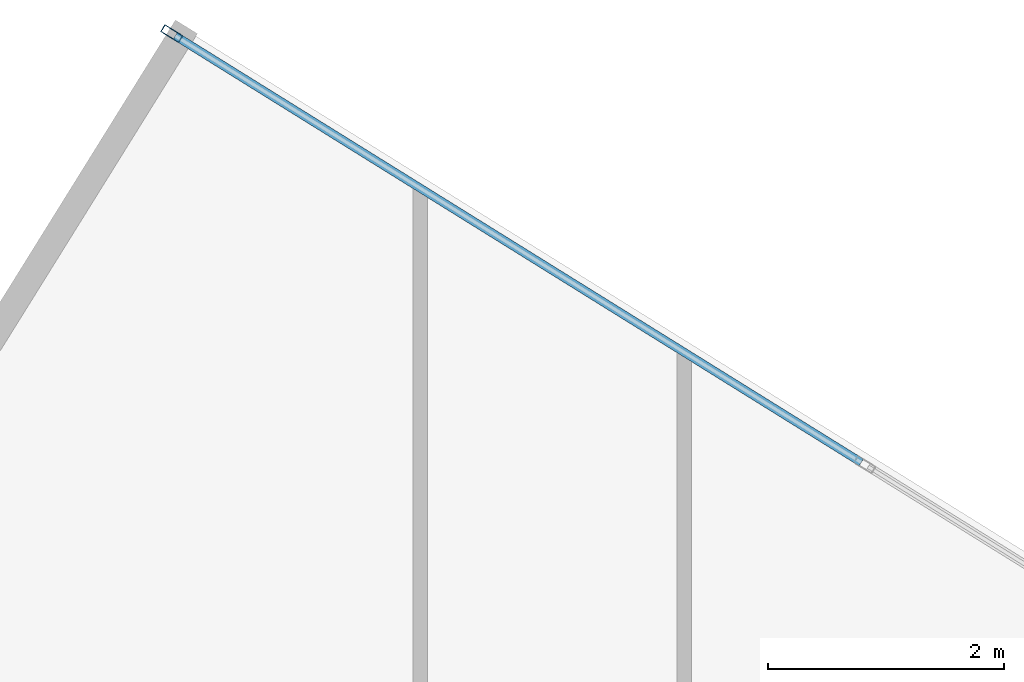
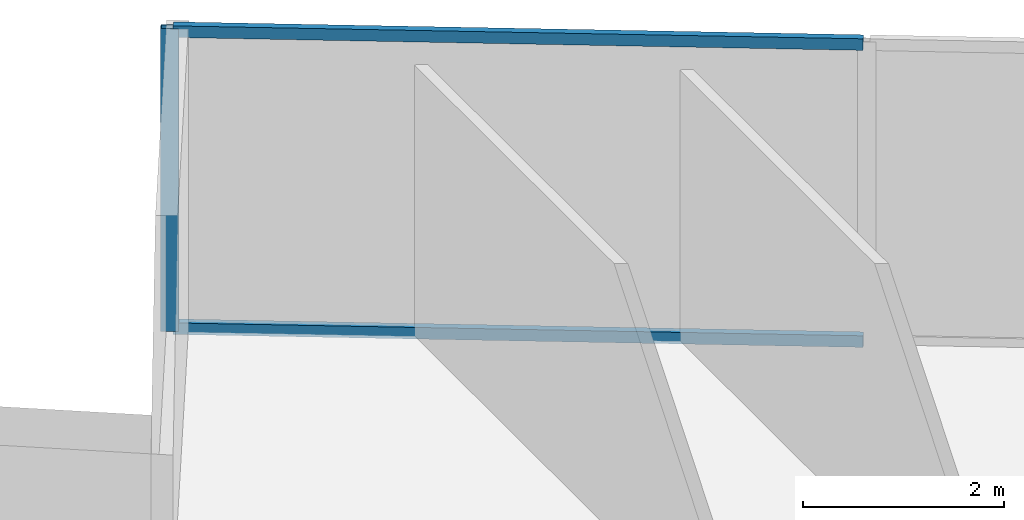
# One storey, part 16 of 25: 3 members, 1 element without a shape of its own.
"""IFC4 building model written with IfcOpenShell, lengths in metres."""

from ifc_helpers import new_model, si_unit, direction, frame, origin, origin_2d, place, context, subcontext, project, spatial, hollow_rectangle, extrude, source, transform, mapped, material, material_profile, profile_set, type_object, type_shapes, element, aggregate, save


model = new_model("IFC4")

# Units and contexts
model_context = context("Model", 3, precision=1e-05, world=origin(), true_north=direction((0.0, 1.0)))
body_context = subcontext(model_context, "Body", "Model", "MODEL_VIEW")
ifc_project = project(units=[si_unit("LENGTHUNIT", "METRE"), si_unit("AREAUNIT", "SQUARE_METRE"), si_unit("VOLUMEUNIT", "CUBIC_METRE"), si_unit("PLANEANGLEUNIT", "RADIAN"), si_unit("MASSUNIT", "GRAM", prefix="KILO")], contexts=[model_context])

# Site, building, storey
site_placement = place(None, origin())
site = spatial("IfcSite", under=ifc_project, at=site_placement, CompositionType="ELEMENT")
building_placement = place(site_placement, origin())
building = spatial("IfcBuilding", under=site, at=building_placement, Name="Krantzveldt Concourse Tower", CompositionType="ELEMENT")
storey_placement = place(building_placement, frame((0.0, 0.0, 181.75)))
storey = spatial("IfcBuildingStorey", under=building, at=storey_placement, Name="L44", CompositionType="ELEMENT", Elevation=181.75)

# Curtain wall, members
ifc_material = material(Name="Anodised aluminium 6063-T6", Category="aluminium")
curtain_wall_type = type_object("IfcCurtainWallType", Name="CW3", PredefinedType="USERDEFINED", material=ifc_material)
curtain_wall_placement = place(storey_placement, origin())
curtain_wall = element("IfcCurtainWall", 1, at=curtain_wall_placement, inside=storey, type_object=curtain_wall_type, Name="CW-L44-F10", ObjectType="UNITISED CURTAIN WALL", PredefinedType="USERDEFINED")
ifc_material_profile_1 = material_profile(ifc_material, hollow_rectangle(XDim=0.070068359375, YDim=0.179931640625, WallThickness=0.0048828125, at=origin_2d()), Name="Anodised aluminium 6063-T6", Category="aluminium")
ifc_profile_set_1 = profile_set([ifc_material_profile_1], Name="Anodised aluminium 6063-T6 - ALU-MULL 180x70x5")
member_type_1 = type_object("IfcMemberType", Name="CW-MUL-180", PredefinedType="MULLION", material=ifc_profile_set_1)
shared_shape_1 = source(origin(), body_context, "Body", "SweptSolid", [
    extrude(hollow_rectangle(XDim=0.070068359375, YDim=0.179931640625, WallThickness=0.0048828125, at=origin_2d()), origin(), (0.0, 0.0, 1.0), 3.669921875),
])
type_shapes(member_type_1, [shared_shape_1])
member_1_placement = place(storey_placement, frame((32.770751953125, 54.39111328125, 0.0), z_axis=(0.0, 0.0, 1.0), x_axis=(-0.528067901977, -0.84920214961, 0.0)))
member_1 = element("IfcMember", 2, at=member_1_placement, type_object=member_type_1, Name="CW-Z34 mullion 6", PredefinedType="MULLION", context=body_context, shape_type="MappedRepresentation", body=[
    mapped(shared_shape_1, transform((0.0, 0.0, 0.0), x_axis=(1.0, 0.0, 0.0), y_axis=(0.0, 1.0, 0.0), z_axis=(0.0, 0.0, 1.0), scale=1.0)),
])
ifc_material_profile_2 = material_profile(ifc_material, hollow_rectangle(XDim=0.070068359375, YDim=0.139892578125, WallThickness=0.0048828125, at=origin_2d()), Name="Anodised aluminium 6063-T6", Category="aluminium")
ifc_profile_set_2 = profile_set([ifc_material_profile_2], Name="Anodised aluminium 6063-T6 - ALU-TRAN 140x70x5")
member_type_2 = type_object("IfcMemberType", Name="CW-TRN-150", PredefinedType="USERDEFINED", material=ifc_profile_set_2)
shared_shape_2 = source(origin(), body_context, "Body", "SweptSolid", [
    extrude(hollow_rectangle(XDim=0.070068359375, YDim=0.139892578125, WallThickness=0.0048828125, at=origin_2d()), origin(), (0.0, 0.0, 1.0), 6.85498046875),
])
type_shapes(member_type_2, [shared_shape_2])
member_2_placement = place(storey_placement, frame((38.621826171875, 50.752685546875, 0.034912109375), z_axis=(-0.849204609246, 0.52806394654, 0.0), x_axis=(-0.52806394654, -0.849204609246, 0.0)))
member_2 = element("IfcMember", 3, at=member_2_placement, type_object=member_type_2, Name="CW-Z34 transom 5.1", ObjectType="TRANSOM", PredefinedType="USERDEFINED", context=body_context, shape_type="MappedRepresentation", body=[
    mapped(shared_shape_2, transform((0.0, 0.0, 0.0), x_axis=(1.0, 0.0, 0.0), y_axis=(0.0, 1.0, 0.0), z_axis=(0.0, 0.0, 1.0), scale=1.0)),
])
member_3_placement = place(storey_placement, frame((38.621826171875, 50.752685546875, 3.635009765625), z_axis=(-0.849204609246, 0.52806394654, 0.0), x_axis=(-0.52806394654, -0.849204609246, 0.0)))
member_3 = element("IfcMember", 4, at=member_3_placement, type_object=member_type_2, Name="CW-Z34 transom 5.2", ObjectType="TRANSOM", PredefinedType="USERDEFINED", context=body_context, shape_type="MappedRepresentation", body=[
    mapped(shared_shape_2, transform((0.0, 0.0, 0.0), x_axis=(1.0, 0.0, 0.0), y_axis=(0.0, 1.0, 0.0), z_axis=(0.0, 0.0, 1.0), scale=1.0)),
])
aggregate(curtain_wall, [member_1, member_2, member_3])

save(model, "model.ifc")
